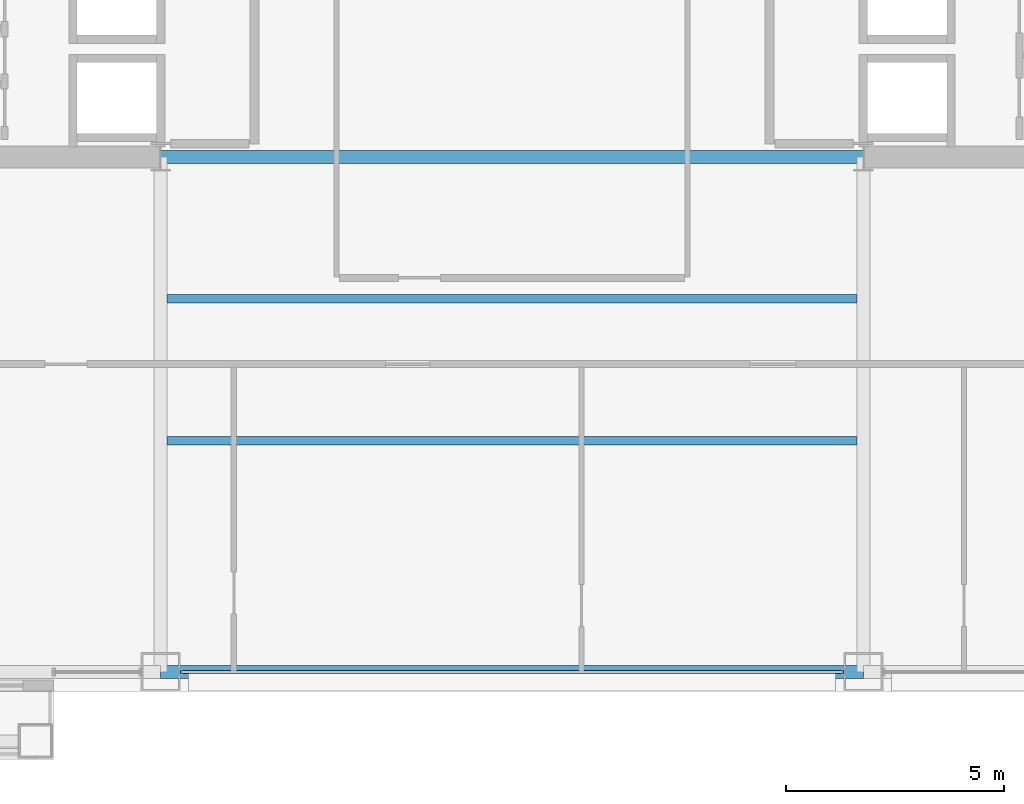
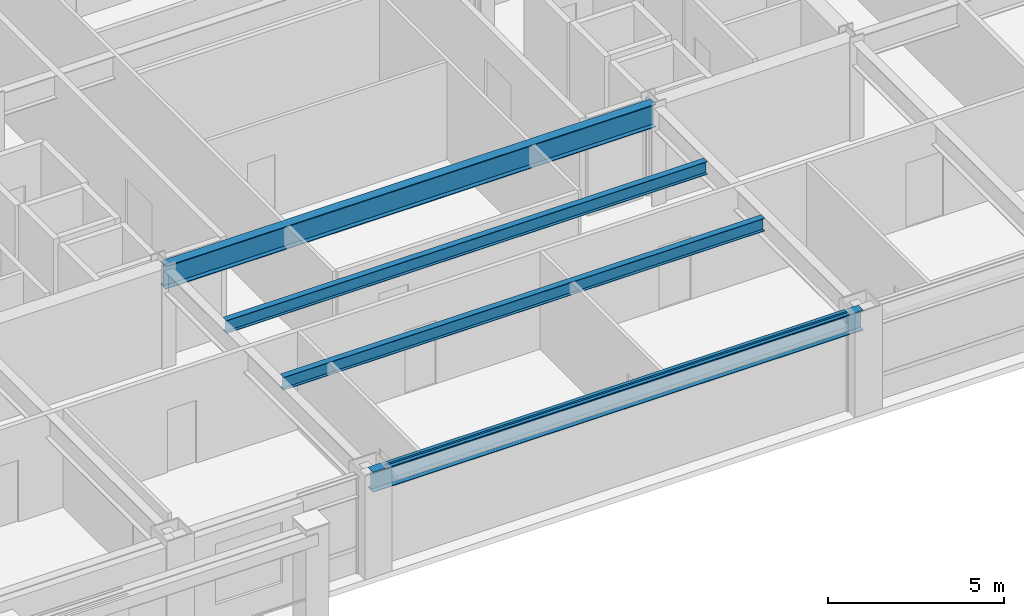
# One storey, part 6 of 30: 4 beams, 1 member, 1 element without a shape of its own.
"""IFC4 building model written with IfcOpenShell, lengths in metres."""

import ifcopenshell
import ifcopenshell.guid

model = None  # the IFC model being written
_history = None  # IfcOwnerHistory: only IFC2X3 demands one
_inside = {}  # id of a spatial element -> (the spatial element, [elements in it])
_under = {}  # id of a project, library or spatial element -> (it, [spatial elements below it])
_declared = {}  # id of a project -> (the project, [libraries it declares])
_typed = {}  # id of a type object -> (the type object, [elements of that type])
_made_of = {}  # id of a material, layer set ... -> (it, [elements and type objects made of it])


def new_model(schema):
    """Start an empty IFC model of exactly this schema.

    Asked for "IFC4X3", IfcOpenShell would pick the latest addendum, in which some entities
    have other attributes; the version numbers below select the first issue.
    IFC2X3 requires an IfcOwnerHistory on every rooted entity: one is made here for all.
    """
    global model, _history
    if schema == "IFC4X3":
        model = ifcopenshell.file(schema_version=(4, 3, 0, 0))
    else:
        model = ifcopenshell.file(schema=schema)
    _inside.clear()
    _under.clear()
    _declared.clear()
    _typed.clear()
    _made_of.clear()
    _history = None
    if model.schema == "IFC2X3":
        org = make("IfcOrganization", Name="unknown")
        user = make(
            "IfcPersonAndOrganization",
            ThePerson=make("IfcPerson", FamilyName="unknown"),
            TheOrganization=org,
        )
        app = make(
            "IfcApplication",
            ApplicationDeveloper=org,
            Version="unknown",
            ApplicationFullName="unknown",
            ApplicationIdentifier="unknown",
        )
        _history = make(
            "IfcOwnerHistory",
            OwningUser=user,
            OwningApplication=app,
            ChangeAction="ADDED",
            CreationDate=0,
        )
    return model


def make(cls, **values):
    """One entity of the class cls with the attributes given. An attribute that is None is left unset."""
    return model.create_entity(
        cls, **{name: value for name, value in values.items() if value is not None}
    )


def rooted(cls, **values):
    """An entity with a GlobalId (a new one), such as an element, a storey or a relation."""
    return make(cls, GlobalId=ifcopenshell.guid.new(), OwnerHistory=_history, **values)


def si_unit(unit_type, name, prefix=None):
    """IfcSIUnit, for example si_unit("LENGTHUNIT", "METRE", prefix="MILLI")."""
    return make("IfcSIUnit", UnitType=unit_type, Prefix=prefix, Name=name)


def assignment(units):
    """IfcUnitAssignment: the units of a project."""
    return None if units is None else make("IfcUnitAssignment", Units=units)


def point(xyz):
    """IfcCartesianPoint."""
    return None if xyz is None else make("IfcCartesianPoint", Coordinates=xyz)


def direction(xyz):
    """IfcDirection."""
    return None if xyz is None else make("IfcDirection", DirectionRatios=xyz)


def frame(location, z_axis=None, x_axis=None):
    """IfcAxis2Placement3D, a coordinate frame: its origin and axes. An axis left out is left unset."""
    return make(
        "IfcAxis2Placement3D",
        Location=point(location),
        Axis=direction(z_axis),
        RefDirection=direction(x_axis),
    )


def frame_2d(location, x_axis=None):
    """IfcAxis2Placement2D, a coordinate frame in the plane: its origin and x axis."""
    return make(
        "IfcAxis2Placement2D", Location=point(location), RefDirection=direction(x_axis)
    )


def origin():
    """The frame at (0, 0, 0) with its axes left unset."""
    return frame((0.0, 0.0, 0.0))


def origin_2d():
    """The frame at (0, 0) in the plane with its x axis left unset."""
    return frame_2d((0.0, 0.0))


def place(relative_to, where):
    """IfcLocalPlacement: puts the frame where relative to a parent placement (None: the world)."""
    return make(
        "IfcLocalPlacement", PlacementRelTo=relative_to, RelativePlacement=where
    )


def context(
    kind, dimensions, precision=None, world=None, true_north=None, identifier=None
):
    """IfcGeometricRepresentationContext, for example the 3D "Model" context."""
    return make(
        "IfcGeometricRepresentationContext",
        ContextIdentifier=identifier,
        ContextType=kind,
        CoordinateSpaceDimension=dimensions,
        Precision=precision,
        WorldCoordinateSystem=world,
        TrueNorth=true_north,
    )


def subcontext(parent, identifier, kind, view, scale=None):
    """IfcGeometricRepresentationSubContext, for example "Body" below "Model"."""
    return make(
        "IfcGeometricRepresentationSubContext",
        ContextIdentifier=identifier,
        ContextType=kind,
        ParentContext=parent,
        TargetScale=scale,
        TargetView=view,
    )


def project(units=None, contexts=None):
    """IfcProject with its units and contexts."""
    return rooted(
        "IfcProject",
        Name="project",
        RepresentationContexts=contexts,
        UnitsInContext=assignment(units),
    )


def spatial(cls, under=None, at=None, **own):
    """A site, building, storey or space (cls), placed at a placement, below another one or the project."""
    s = rooted(cls, ObjectPlacement=at, **own)
    if under is not None:
        _under.setdefault(under.id(), (under, []))[1].append(s)
    return s


def profile(cls, at=None, kind="AREA", **sizes):
    """A parametric profile (cls). Its sizes go by their IFC names, for example OverallWidth=200.0."""
    return make(cls, ProfileType=kind, Position=at, **sizes)


def hollow_rectangle(**sizes):
    """IfcRectangleHollowProfileDef."""
    return profile("IfcRectangleHollowProfileDef", **sizes)


def i_section(**sizes):
    """IfcIShapeProfileDef."""
    return profile("IfcIShapeProfileDef", **sizes)


def extrude(swept, where, along, depth):
    """IfcExtrudedAreaSolid: the profile swept, set in the frame where, extruded along a direction by depth."""
    return make(
        "IfcExtrudedAreaSolid",
        SweptArea=swept,
        Position=where,
        ExtrudedDirection=direction(along),
        Depth=depth,
    )


def shape(context_of_items, identifier, shape_type, items):
    """IfcShapeRepresentation: the items that make up one representation, for example the "Body"."""
    return make(
        "IfcShapeRepresentation",
        ContextOfItems=context_of_items,
        RepresentationIdentifier=identifier,
        RepresentationType=shape_type,
        Items=items,
    )


def material(Name=None, Category=None):
    """IfcMaterial."""
    return make("IfcMaterial", Name=Name, Category=Category)


def layer(
    of_material, thickness, ventilated=None, Name=None, Category=None, Priority=None
):
    """IfcMaterialLayer: one layer of a wall or slab, of a material (None: an air gap)."""
    return make(
        "IfcMaterialLayer",
        Material=of_material,
        LayerThickness=thickness,
        IsVentilated=ventilated,
        Name=Name,
        Category=Category,
        Priority=Priority,
    )


def layer_set(layers, Name=None):
    """IfcMaterialLayerSet."""
    return make("IfcMaterialLayerSet", MaterialLayers=layers, LayerSetName=Name)


def material_profile(
    of_material, cross_section, Name=None, Category=None, Priority=None
):
    """IfcMaterialProfile: a cross section and its material."""
    return make(
        "IfcMaterialProfile",
        Name=Name,
        Material=of_material,
        Profile=cross_section,
        Priority=Priority,
        Category=Category,
    )


def profile_set(profiles, Name=None, composite=None):
    """IfcMaterialProfileSet."""
    return make(
        "IfcMaterialProfileSet",
        Name=Name,
        MaterialProfiles=profiles,
        CompositeProfile=composite,
    )


def made_of(thing, what):
    """Note that an element or type object is made of a material, layer set ...; save() writes the relation."""
    if what is not None:
        _made_of.setdefault(what.id(), (what, []))[1].append(thing)
    return thing


def type_object(cls, material=None, **own):
    """A type object (cls), such as IfcWallType, which elements share."""
    return made_of(rooted(cls, **own), material)


def element(
    cls,
    number,
    at=None,
    inside=None,
    cuts=None,
    type_object=None,
    material=None,
    context=None,
    identifier="Body",
    shape_type=None,
    held_by="IfcProductDefinitionShape",
    body=None,
    shapes=None,
    **own,
):
    """One element of the class cls, such as IfcWall. Its Tag is "e" and its number.

    at: its placement. inside: the storey or other place that contains it. cuts: it is an
    opening in that element (IfcRelVoidsElement). A single representation is given by context,
    identifier, shape_type and body (its items); several are given by shapes. held_by: the class
    of the entity that holds the representations. save() writes the other relations.
    """
    e = rooted(cls, Tag="e%d" % number, ObjectPlacement=at, **own)
    if body is not None:
        shapes = [shape(context, identifier, shape_type, body)]
    if shapes is not None:
        e.Representation = make(held_by, Representations=shapes)
    if inside is not None:
        _inside.setdefault(inside.id(), (inside, []))[1].append(e)
    if cuts is not None:
        rooted(
            "IfcRelVoidsElement", RelatingBuildingElement=cuts, RelatedOpeningElement=e
        )
    if type_object is not None:
        _typed.setdefault(type_object.id(), (type_object, []))[1].append(e)
    return made_of(e, material)


def aggregate(whole, parts):
    """IfcRelAggregates: a whole, such as a stair, and the parts it consists of."""
    return rooted("IfcRelAggregates", RelatingObject=whole, RelatedObjects=parts)


def save(model, path):
    """Write the relations noted so far, then the file.

    IfcRelAggregates (storeys below a building ...), IfcRelContainedInSpatialStructure (elements
    in a storey), IfcRelDefinesByType, IfcRelAssociatesMaterial and IfcRelDeclares: one each for
    every whole, place, type object, material and project.
    """
    for whole, parts in _under.values():
        aggregate(whole, parts)
    for where, things in _inside.values():
        rooted(
            "IfcRelContainedInSpatialStructure",
            RelatedElements=things,
            RelatingStructure=where,
        )
    for kind, things in _typed.values():
        rooted("IfcRelDefinesByType", RelatedObjects=things, RelatingType=kind)
    for what, things in _made_of.values():
        rooted("IfcRelAssociatesMaterial", RelatedObjects=things, RelatingMaterial=what)
    for by, libraries in _declared.values():
        rooted("IfcRelDeclares", RelatingContext=by, RelatedDefinitions=libraries)
    model.write(path)


model = new_model("IFC4")

# Units and contexts
model_context = context("Model", 3, precision=1e-05, world=origin(), true_north=direction((0.0, 1.0)))
body_context = subcontext(model_context, "Body", "Model", "MODEL_VIEW")
ifc_project = project(units=[si_unit("LENGTHUNIT", "METRE"), si_unit("AREAUNIT", "SQUARE_METRE"), si_unit("VOLUMEUNIT", "CUBIC_METRE"), si_unit("PLANEANGLEUNIT", "RADIAN"), si_unit("MASSUNIT", "GRAM", prefix="KILO")], contexts=[model_context])

# Site, building, storey
site_placement = place(None, origin())
site = spatial("IfcSite", under=ifc_project, at=site_placement, CompositionType="ELEMENT")
building_placement = place(site_placement, origin())
building = spatial("IfcBuilding", under=site, at=building_placement, Name="Brelmoor Portico Tower", CompositionType="ELEMENT")
storey_placement = place(building_placement, frame((0.0, 0.0, 74.39990234375)))
storey = spatial("IfcBuildingStorey", under=building, at=storey_placement, Name="L19", CompositionType="ELEMENT", Elevation=74.39990234375)

# Beams
ifc_material_1 = material(Name="Steel Q355B", Category="steel")
ifc_material_profile_1 = material_profile(ifc_material_1, i_section(OverallWidth=0.199951171875, OverallDepth=0.449951171875, WebThickness=0.009033203125, FlangeThickness=0.013916015625, at=origin_2d()), Name="HN 450x200x9x14")
ifc_profile_set_1 = profile_set([ifc_material_profile_1], Name="Steel Q355B")
beam_type_1 = type_object("IfcBeamType", Name="BM-JS-450", PredefinedType="JOIST", material=ifc_profile_set_1)
for number, where, z_axis, x_axis, name in (
    (1, (-7.89990234375, -16.25, 3.175048828125), (1.0, 0.0, 0.0), (0.0, 1.0, 0.0), "L19 Secondary Composite Joist JS-C01"),
    (2, (-7.89990234375, -13.0, 3.175048828125), (1.0, 0.0, 0.0), (0.0, 1.0, 0.0), "L19 Secondary Composite Joist JS-C02"),
):
    element("IfcBeam", number, at=place(storey_placement, frame(where, z_axis=z_axis, x_axis=x_axis)), inside=storey, type_object=beam_type_1, Name=name, PredefinedType="JOIST", context=body_context, shape_type="SweptSolid", body=[
        extrude(i_section(OverallWidth=0.199951171875, OverallDepth=0.449951171875, WebThickness=0.009033203125, FlangeThickness=0.013916015625, at=origin_2d()), origin(), (0.0, 0.0, 1.0), 15.7998046875),
    ])
ifc_material_profile_2 = material_profile(ifc_material_1, i_section(OverallWidth=0.300048828125, OverallDepth=0.800048828125, WebThickness=0.013916015625, FlangeThickness=0.02587890625, at=origin_2d()), Name="HN 800x300x14x26")
ifc_profile_set_2 = profile_set([ifc_material_profile_2], Name="Steel Q355B")
beam_type_2 = type_object("IfcBeamType", Name="BM-PG-800", PredefinedType="BEAM", material=ifc_profile_set_2)
beam_1_placement = place(storey_placement, frame((-8.050048828125, -9.75, 3.0), z_axis=(1.0, 0.0, 0.0), x_axis=(0.0, 1.0, 0.0)))
element("IfcBeam", 3, at=beam_1_placement, inside=storey, type_object=beam_type_2, Name="L19 Primary Floor Girder PG-21", PredefinedType="BEAM", context=body_context, shape_type="SweptSolid", body=[
    extrude(i_section(OverallWidth=0.300048828125, OverallDepth=0.800048828125, WebThickness=0.013916015625, FlangeThickness=0.02587890625, at=origin_2d()), origin(), (0.0, 0.0, 1.0), 16.10009765625),
])
ifc_material_profile_3 = material_profile(ifc_material_1, i_section(OverallWidth=0.300048828125, OverallDepth=0.699951171875, WebThickness=0.012939453125, FlangeThickness=0.02392578125, at=origin_2d()), Name="HN 700x300x13x24")
ifc_profile_set_3 = profile_set([ifc_material_profile_3], Name="Steel Q355B")
beam_type_3 = type_object("IfcBeamType", Name="BM-SP-700", PredefinedType="SPANDREL", material=ifc_profile_set_3)
beam_2_placement = place(storey_placement, frame((-8.050048828125, -21.550048828125, 3.050048828125), z_axis=(1.0, 0.0, 0.0), x_axis=(0.0, 1.0, 0.0)))
element("IfcBeam", 4, at=beam_2_placement, inside=storey, type_object=beam_type_3, Name="L19 Perimeter Spandrel Beam SP-03", PredefinedType="SPANDREL", context=body_context, shape_type="SweptSolid", body=[
    extrude(i_section(OverallWidth=0.300048828125, OverallDepth=0.699951171875, WebThickness=0.012939453125, FlangeThickness=0.02392578125, at=origin_2d()), origin(), (0.0, 0.0, 1.0), 16.10009765625),
])

# Curtain wall, member
ifc_material_2 = material(Name="Anodised Aluminium Alloy 6063-T6", Category="aluminium")
ifc_layer = layer(ifc_material_2, 0.179931640625)
ifc_layer_set = layer_set([ifc_layer], Name="Anodised Aluminium Alloy 6063-T6")
curtain_wall_type = type_object("IfcCurtainWallType", Name="CW-TOWER-Z1-XB", PredefinedType="NOTDEFINED", material=ifc_layer_set)
curtain_wall_placement = place(storey_placement, origin())
curtain_wall = element("IfcCurtainWall", 5, at=curtain_wall_placement, inside=storey, type_object=curtain_wall_type, Name="L19 Curtain Wall CW-L19-1R-2", PredefinedType="NOTDEFINED")
ifc_material_profile_4 = material_profile(ifc_material_2, hollow_rectangle(XDim=0.06494140625, YDim=0.139892578125, WallThickness=0.00390625, at=origin_2d()), Name="ALU TRANSOM 65x140")
ifc_profile_set_4 = profile_set([ifc_material_profile_4], Name="Anodised Aluminium Alloy 6063-T6")
member_type = type_object("IfcMemberType", Name="MB-CW-TRAN-140", PredefinedType="USERDEFINED", material=ifc_profile_set_4)
member_placement = place(storey_placement, frame((-7.590087890625, -21.550048828125, 3.330078125), z_axis=(1.0, 0.0, 0.0), x_axis=(0.0, 1.0, 0.0)))
member = element("IfcMember", 6, at=member_placement, type_object=member_type, Name="CW-L19-1R-2 Transom 1-00", ObjectType="TRANSOM", PredefinedType="USERDEFINED", context=body_context, shape_type="SweptSolid", body=[
    extrude(hollow_rectangle(XDim=0.06494140625, YDim=0.139892578125, WallThickness=0.00390625, at=origin_2d()), origin(), (0.0, 0.0, 1.0), 15.18017578125),
])
aggregate(curtain_wall, [member])

save(model, "model.ifc")
